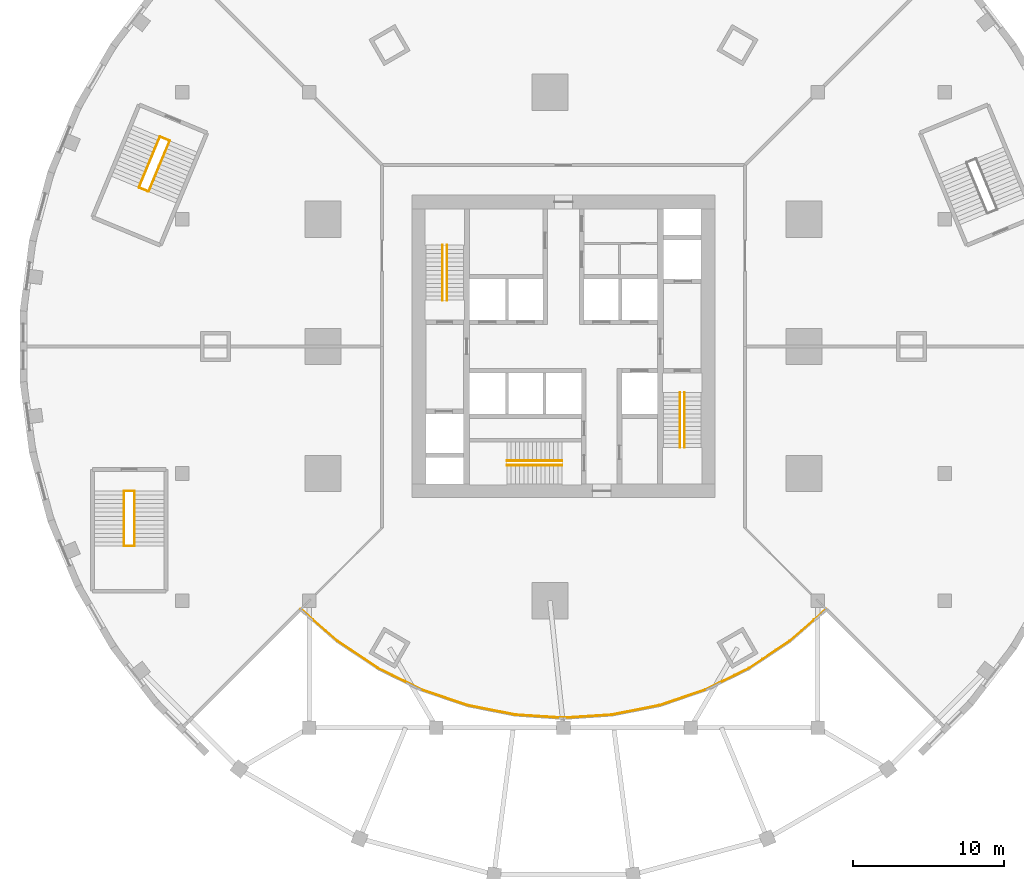
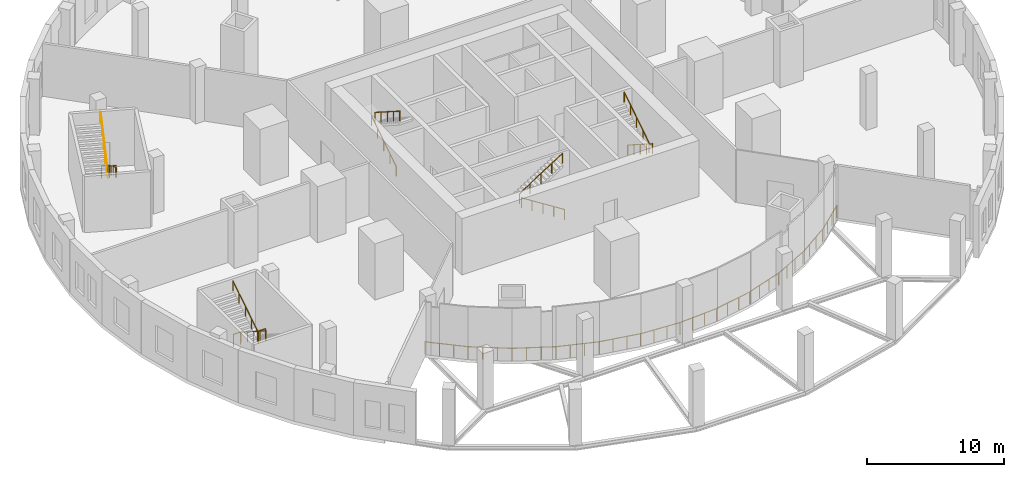
# One storey, part 9 of 11: 26 railings.
"""IFC4 building model written with IfcOpenShell, lengths in metres."""

from ifc_helpers import new_model, si_unit, direction, frame, origin, origin_2d, place, context, subcontext, project, spatial, circle, extrude, material, type_object, element, save


model = new_model("IFC4")

# Units and contexts
model_context = context("Model", 3, precision=1e-05, world=origin(), true_north=direction((0.0, 1.0)))
body_context = subcontext(model_context, "Body", "Model", "MODEL_VIEW")
ifc_project = project(units=[si_unit("LENGTHUNIT", "METRE"), si_unit("AREAUNIT", "SQUARE_METRE"), si_unit("VOLUMEUNIT", "CUBIC_METRE"), si_unit("PLANEANGLEUNIT", "RADIAN"), si_unit("MASSUNIT", "GRAM", prefix="KILO")], contexts=[model_context])

# Site, building, storey
site_placement = place(None, origin())
site = spatial("IfcSite", under=ifc_project, at=site_placement, CompositionType="ELEMENT")
building_placement = place(site_placement, origin())
building = spatial("IfcBuilding", under=site, at=building_placement, Name="Golbaran Civic Tower", CompositionType="ELEMENT")
storey_placement = place(building_placement, frame((0.0, 0.0, 11.0)))
storey = spatial("IfcBuildingStorey", under=building, at=storey_placement, Name="L02", CompositionType="ELEMENT", Elevation=11.0)

# Railings
ifc_material_1 = material(Name="Laminated glass, bronze rail", Category="glass")
railing_type_1 = type_object("IfcRailingType", Name="ATRIUM BALUSTRADE 1100", PredefinedType="GUARDRAIL", material=ifc_material_1)
railing_1_placement = place(storey_placement, frame((-17.359375, -17.359375, 0.0)))
element("IfcRailing", 1, at=railing_1_placement, inside=storey, type_object=railing_type_1, Name="Atrium balustrade L02 1", PredefinedType="GUARDRAIL", context=body_context, shape_type="SweptSolid", body=[
    extrude(circle(Radius=0.02392578125, at=origin_2d()), frame((0.0, 0.0, 1.076171875), z_axis=(0.751817957378, -0.659370729532, 0.0), x_axis=(0.659370729532, 0.751817957378, 0.0)), (0.0, 0.0, 1.0), 3.211181640625),
    extrude(circle(Radius=0.02099609375, at=origin_2d()), origin(), (0.0, 0.0, 1.0), 1.052001953125),
    extrude(circle(Radius=0.02099609375, at=origin_2d()), frame((0.8046875, -0.705810546875, 0.0)), (0.0, 0.0, 1.0), 1.052001953125),
    extrude(circle(Radius=0.02099609375, at=origin_2d()), frame((1.609619140625, -1.41162109375, 0.0)), (0.0, 0.0, 1.0), 1.052001953125),
    extrude(circle(Radius=0.02099609375, at=origin_2d()), frame((2.414306640625, -2.117431640625, 0.0)), (0.0, 0.0, 1.0), 1.052001953125),
])
railing_2_placement = place(storey_placement, frame((-14.945068359375, -19.476806640625, 0.0)))
element("IfcRailing", 2, at=railing_2_placement, inside=storey, type_object=railing_type_1, Name="Atrium balustrade L02 2", PredefinedType="GUARDRAIL", context=body_context, shape_type="SweptSolid", body=[
    extrude(circle(Radius=0.02392578125, at=origin_2d()), frame((0.0, 0.0, 1.076171875), z_axis=(0.831465038594, -0.555577077997, 0.0), x_axis=(0.555577077997, 0.831465038594, 0.0)), (0.0, 0.0, 1.0), 3.21142578125),
    extrude(circle(Radius=0.02099609375, at=origin_2d()), origin(), (0.0, 0.0, 1.0), 1.052001953125),
    extrude(circle(Radius=0.02099609375, at=origin_2d()), frame((0.89013671875, -0.5947265625, 0.0)), (0.0, 0.0, 1.0), 1.052001953125),
    extrude(circle(Radius=0.02099609375, at=origin_2d()), frame((1.780029296875, -1.189453125, 0.0)), (0.0, 0.0, 1.0), 1.052001953125),
    extrude(circle(Radius=0.02099609375, at=origin_2d()), frame((2.670166015625, -1.7841796875, 0.0)), (0.0, 0.0, 1.0), 1.052001953125),
])
railing_3_placement = place(storey_placement, frame((-12.27490234375, -21.260986328125, 0.0)))
element("IfcRailing", 3, at=railing_3_placement, inside=storey, type_object=railing_type_1, Name="Atrium balustrade L02 3", PredefinedType="GUARDRAIL", context=body_context, shape_type="SweptSolid", body=[
    extrude(circle(Radius=0.02392578125, at=origin_2d()), frame((0.0, 0.0, 1.076171875), z_axis=(0.896891939114, -0.442249759246, 0.0), x_axis=(0.442249759246, 0.896891939114, 0.0)), (0.0, 0.0, 1.0), 3.211181640625),
    extrude(circle(Radius=0.02099609375, at=origin_2d()), origin(), (0.0, 0.0, 1.0), 1.052001953125),
    extrude(circle(Radius=0.02099609375, at=origin_2d()), frame((0.9599609375, -0.473388671875, 0.0)), (0.0, 0.0, 1.0), 1.052001953125),
    extrude(circle(Radius=0.02099609375, at=origin_2d()), frame((1.920166015625, -0.94677734375, 0.0)), (0.0, 0.0, 1.0), 1.052001953125),
    extrude(circle(Radius=0.02099609375, at=origin_2d()), frame((2.880126953125, -1.420166015625, 0.0)), (0.0, 0.0, 1.0), 1.052001953125),
])
railing_4_placement = place(storey_placement, frame((-9.394775390625, -22.68115234375, 0.0)))
element("IfcRailing", 4, at=railing_4_placement, inside=storey, type_object=railing_type_1, Name="Atrium balustrade L02 4", PredefinedType="GUARDRAIL", context=body_context, shape_type="SweptSolid", body=[
    extrude(circle(Radius=0.02392578125, at=origin_2d()), frame((0.0, 0.0, 1.076171875), z_axis=(0.946927879989, -0.321446092059, 0.0), x_axis=(0.321446092059, 0.946927879989, 0.0)), (0.0, 0.0, 1.0), 3.211181640625),
    extrude(circle(Radius=0.02099609375, at=origin_2d()), origin(), (0.0, 0.0, 1.0), 1.052001953125),
    extrude(circle(Radius=0.02099609375, at=origin_2d()), frame((1.013671875, -0.343994140625, 0.0)), (0.0, 0.0, 1.0), 1.052001953125),
    extrude(circle(Radius=0.02099609375, at=origin_2d()), frame((2.027099609375, -0.688232421875, 0.0)), (0.0, 0.0, 1.0), 1.052001953125),
    extrude(circle(Radius=0.02099609375, at=origin_2d()), frame((3.040771484375, -1.0322265625, 0.0)), (0.0, 0.0, 1.0), 1.052001953125),
])
railing_5_placement = place(storey_placement, frame((-6.35400390625, -23.71337890625, 0.0)))
element("IfcRailing", 5, at=railing_5_placement, inside=storey, type_object=railing_type_1, Name="Atrium balustrade L02 5", PredefinedType="GUARDRAIL", context=body_context, shape_type="SweptSolid", body=[
    extrude(circle(Radius=0.02392578125, at=origin_2d()), frame((0.0, 0.0, 1.076171875), z_axis=(0.9807731825, -0.19515113243, 0.0), x_axis=(0.19515113243, 0.9807731825, 0.0)), (0.0, 0.0, 1.0), 3.21142578125),
    extrude(circle(Radius=0.02099609375, at=origin_2d()), origin(), (0.0, 0.0, 1.0), 1.052001953125),
    extrude(circle(Radius=0.02099609375, at=origin_2d()), frame((1.0498046875, -0.208984375, 0.0)), (0.0, 0.0, 1.0), 1.052001953125),
    extrude(circle(Radius=0.02099609375, at=origin_2d()), frame((2.099853515625, -0.417724609375, 0.0)), (0.0, 0.0, 1.0), 1.052001953125),
    extrude(circle(Radius=0.02099609375, at=origin_2d()), frame((3.149658203125, -0.626708984375, 0.0)), (0.0, 0.0, 1.0), 1.052001953125),
])
railing_6_placement = place(storey_placement, frame((-3.204345703125, -24.340087890625, 0.0)))
element("IfcRailing", 6, at=railing_6_placement, inside=storey, type_object=railing_type_1, Name="Atrium balustrade L02 6", PredefinedType="GUARDRAIL", context=body_context, shape_type="SweptSolid", body=[
    extrude(circle(Radius=0.02392578125, at=origin_2d()), frame((0.0, 0.0, 1.076171875), z_axis=(0.997860202938, -0.065383601869, 0.0), x_axis=(0.065383601869, 0.997860202938, 0.0)), (0.0, 0.0, 1.0), 3.211181640625),
    extrude(circle(Radius=0.02099609375, at=origin_2d()), origin(), (0.0, 0.0, 1.0), 1.052001953125),
    extrude(circle(Radius=0.02099609375, at=origin_2d()), frame((1.068115234375, -0.070068359375, 0.0)), (0.0, 0.0, 1.0), 1.052001953125),
    extrude(circle(Radius=0.02099609375, at=origin_2d()), frame((2.13623046875, -0.139892578125, 0.0)), (0.0, 0.0, 1.0), 1.052001953125),
    extrude(circle(Radius=0.02099609375, at=origin_2d()), frame((3.204345703125, -0.2099609375, 0.0)), (0.0, 0.0, 1.0), 1.052001953125),
])
railing_7_placement = place(storey_placement, frame((0.0, -24.550048828125, 0.0)))
element("IfcRailing", 7, at=railing_7_placement, inside=storey, type_object=railing_type_1, Name="Atrium balustrade L02 7", PredefinedType="GUARDRAIL", context=body_context, shape_type="SweptSolid", body=[
    extrude(circle(Radius=0.02392578125, at=origin_2d()), frame((0.0, 0.0, 1.076171875), z_axis=(0.997860202938, 0.065383601869, 0.0), x_axis=(-0.065383601869, 0.997860202938, 0.0)), (0.0, 0.0, 1.0), 3.211181640625),
    extrude(circle(Radius=0.02099609375, at=origin_2d()), origin(), (0.0, 0.0, 1.0), 1.052001953125),
    extrude(circle(Radius=0.02099609375, at=origin_2d()), frame((1.068115234375, 0.070068359375, 0.0)), (0.0, 0.0, 1.0), 1.052001953125),
    extrude(circle(Radius=0.02099609375, at=origin_2d()), frame((2.13623046875, 0.139892578125, 0.0)), (0.0, 0.0, 1.0), 1.052001953125),
    extrude(circle(Radius=0.02099609375, at=origin_2d()), frame((3.204345703125, 0.2099609375, 0.0)), (0.0, 0.0, 1.0), 1.052001953125),
])
railing_8_placement = place(storey_placement, frame((3.204345703125, -24.340087890625, 0.0)))
element("IfcRailing", 8, at=railing_8_placement, inside=storey, type_object=railing_type_1, Name="Atrium balustrade L02 8", PredefinedType="GUARDRAIL", context=body_context, shape_type="SweptSolid", body=[
    extrude(circle(Radius=0.02392578125, at=origin_2d()), frame((0.0, 0.0, 1.076171875), z_axis=(0.9807731825, 0.19515113243, 0.0), x_axis=(-0.19515113243, 0.9807731825, 0.0)), (0.0, 0.0, 1.0), 3.21142578125),
    extrude(circle(Radius=0.02099609375, at=origin_2d()), origin(), (0.0, 0.0, 1.0), 1.052001953125),
    extrude(circle(Radius=0.02099609375, at=origin_2d()), frame((1.0498046875, 0.208984375, 0.0)), (0.0, 0.0, 1.0), 1.052001953125),
    extrude(circle(Radius=0.02099609375, at=origin_2d()), frame((2.099853515625, 0.417724609375, 0.0)), (0.0, 0.0, 1.0), 1.052001953125),
    extrude(circle(Radius=0.02099609375, at=origin_2d()), frame((3.149658203125, 0.626708984375, 0.0)), (0.0, 0.0, 1.0), 1.052001953125),
])
railing_9_placement = place(storey_placement, frame((6.35400390625, -23.71337890625, 0.0)))
element("IfcRailing", 9, at=railing_9_placement, inside=storey, type_object=railing_type_1, Name="Atrium balustrade L02 9", PredefinedType="GUARDRAIL", context=body_context, shape_type="SweptSolid", body=[
    extrude(circle(Radius=0.02392578125, at=origin_2d()), frame((0.0, 0.0, 1.076171875), z_axis=(0.946927879989, 0.321446092059, 0.0), x_axis=(-0.321446092059, 0.946927879989, 0.0)), (0.0, 0.0, 1.0), 3.211181640625),
    extrude(circle(Radius=0.02099609375, at=origin_2d()), origin(), (0.0, 0.0, 1.0), 1.052001953125),
    extrude(circle(Radius=0.02099609375, at=origin_2d()), frame((1.013671875, 0.343994140625, 0.0)), (0.0, 0.0, 1.0), 1.052001953125),
    extrude(circle(Radius=0.02099609375, at=origin_2d()), frame((2.027099609375, 0.688232421875, 0.0)), (0.0, 0.0, 1.0), 1.052001953125),
    extrude(circle(Radius=0.02099609375, at=origin_2d()), frame((3.040771484375, 1.0322265625, 0.0)), (0.0, 0.0, 1.0), 1.052001953125),
])
railing_10_placement = place(storey_placement, frame((9.394775390625, -22.68115234375, 0.0)))
element("IfcRailing", 10, at=railing_10_placement, inside=storey, type_object=railing_type_1, Name="Atrium balustrade L02 10", PredefinedType="GUARDRAIL", context=body_context, shape_type="SweptSolid", body=[
    extrude(circle(Radius=0.02392578125, at=origin_2d()), frame((0.0, 0.0, 1.076171875), z_axis=(0.896891939114, 0.442249759246, 0.0), x_axis=(-0.442249759246, 0.896891939114, 0.0)), (0.0, 0.0, 1.0), 3.211181640625),
    extrude(circle(Radius=0.02099609375, at=origin_2d()), origin(), (0.0, 0.0, 1.0), 1.052001953125),
    extrude(circle(Radius=0.02099609375, at=origin_2d()), frame((0.9599609375, 0.473388671875, 0.0)), (0.0, 0.0, 1.0), 1.052001953125),
    extrude(circle(Radius=0.02099609375, at=origin_2d()), frame((1.920166015625, 0.94677734375, 0.0)), (0.0, 0.0, 1.0), 1.052001953125),
    extrude(circle(Radius=0.02099609375, at=origin_2d()), frame((2.880126953125, 1.420166015625, 0.0)), (0.0, 0.0, 1.0), 1.052001953125),
])
railing_11_placement = place(storey_placement, frame((12.27490234375, -21.260986328125, 0.0)))
element("IfcRailing", 11, at=railing_11_placement, inside=storey, type_object=railing_type_1, Name="Atrium balustrade L02 11", PredefinedType="GUARDRAIL", context=body_context, shape_type="SweptSolid", body=[
    extrude(circle(Radius=0.02392578125, at=origin_2d()), frame((0.0, 0.0, 1.076171875), z_axis=(0.831465038594, 0.555577077997, 0.0), x_axis=(-0.555577077997, 0.831465038594, 0.0)), (0.0, 0.0, 1.0), 3.21142578125),
    extrude(circle(Radius=0.02099609375, at=origin_2d()), origin(), (0.0, 0.0, 1.0), 1.052001953125),
    extrude(circle(Radius=0.02099609375, at=origin_2d()), frame((0.89013671875, 0.5947265625, 0.0)), (0.0, 0.0, 1.0), 1.052001953125),
    extrude(circle(Radius=0.02099609375, at=origin_2d()), frame((1.780029296875, 1.189453125, 0.0)), (0.0, 0.0, 1.0), 1.052001953125),
    extrude(circle(Radius=0.02099609375, at=origin_2d()), frame((2.670166015625, 1.7841796875, 0.0)), (0.0, 0.0, 1.0), 1.052001953125),
])
railing_12_placement = place(storey_placement, frame((14.945068359375, -19.476806640625, 0.0)))
element("IfcRailing", 12, at=railing_12_placement, inside=storey, type_object=railing_type_1, Name="Atrium balustrade L02 12", PredefinedType="GUARDRAIL", context=body_context, shape_type="SweptSolid", body=[
    extrude(circle(Radius=0.02392578125, at=origin_2d()), frame((0.0, 0.0, 1.076171875), z_axis=(0.751817957378, 0.659370729532, 0.0), x_axis=(-0.659370729532, 0.751817957378, 0.0)), (0.0, 0.0, 1.0), 3.211181640625),
    extrude(circle(Radius=0.02099609375, at=origin_2d()), origin(), (0.0, 0.0, 1.0), 1.052001953125),
    extrude(circle(Radius=0.02099609375, at=origin_2d()), frame((0.8046875, 0.705810546875, 0.0)), (0.0, 0.0, 1.0), 1.052001953125),
    extrude(circle(Radius=0.02099609375, at=origin_2d()), frame((1.609619140625, 1.41162109375, 0.0)), (0.0, 0.0, 1.0), 1.052001953125),
    extrude(circle(Radius=0.02099609375, at=origin_2d()), frame((2.414306640625, 2.117431640625, 0.0)), (0.0, 0.0, 1.0), 1.052001953125),
])
ifc_material_2 = material(Name="Steel balustrade", Category="steel")
railing_type_2 = type_object("IfcRailingType", Name="STAIR GUARD 1100", PredefinedType="GUARDRAIL", material=ifc_material_2)
railing_13_placement = place(storey_placement, frame((-26.07470703125, 13.61474609375, 0.0)))
element("IfcRailing", 13, at=railing_13_placement, inside=storey, type_object=railing_type_2, Name="Stair P2 well guard floor landing L02", PredefinedType="GUARDRAIL", context=body_context, shape_type="SweptSolid", body=[
    extrude(circle(Radius=0.02392578125, at=origin_2d()), frame((0.0, 0.0, 1.076171875), z_axis=(-0.923917630863, 0.382591441855, 0.0), x_axis=(-0.382591441855, -0.923917630863, 0.0)), (0.0, 0.0, 1.0), 0.599853515625),
    extrude(circle(Radius=0.02099609375, at=origin_2d()), origin(), (0.0, 0.0, 1.0), 1.052001953125),
    extrude(circle(Radius=0.02099609375, at=origin_2d()), frame((-0.55419921875, 0.2294921875, 0.0)), (0.0, 0.0, 1.0), 1.052001953125),
])
railing_14_placement = place(storey_placement, frame((-27.4677734375, 10.251708984375, 2.5)))
element("IfcRailing", 14, at=railing_14_placement, inside=storey, type_object=railing_type_2, Name="Stair P2 well guard half landing L02", PredefinedType="GUARDRAIL", context=body_context, shape_type="SweptSolid", body=[
    extrude(circle(Radius=0.02392578125, at=origin_2d()), frame((0.0, 0.0, 1.076171875), z_axis=(-0.923773716093, 0.382938795966, 0.0), x_axis=(-0.382938795966, -0.923773716093, 0.0)), (0.0, 0.0, 1.0), 0.599853515625),
    extrude(circle(Radius=0.02099609375, at=origin_2d()), origin(), (0.0, 0.0, 1.0), 1.052001953125),
    extrude(circle(Radius=0.02099609375, at=origin_2d()), frame((-0.55419921875, 0.229736328125, 0.0)), (0.0, 0.0, 1.0), 1.052001953125),
])
for number, where, name in (
    (15, (-28.39990234375, -9.550048828125, 0.0), "Stair P3 well guard floor landing L02"),
    (16, (-28.39990234375, -13.18994140625, 2.5), "Stair P3 well guard half landing L02"),
):
    element("IfcRailing", number, at=place(storey_placement, frame(where)), inside=storey, type_object=railing_type_2, Name=name, PredefinedType="GUARDRAIL", context=body_context, shape_type="SweptSolid", body=[
        extrude(circle(Radius=0.02392578125, at=origin_2d()), frame((0.0, 0.0, 1.076171875), z_axis=(-1.0, 0.0, 0.0), x_axis=(0.0, -1.0, 0.0)), (0.0, 0.0, 1.0), 0.60009765625),
        extrude(circle(Radius=0.02099609375, at=origin_2d()), origin(), (0.0, 0.0, 1.0), 1.052001953125),
        extrude(circle(Radius=0.02099609375, at=origin_2d()), frame((-0.60009765625, 0.0, 0.0)), (0.0, 0.0, 1.0), 1.052001953125),
    ])
ifc_material_3 = material(Name="Stainless steel", Category="steel")
railing_type_3 = type_object("IfcRailingType", Name="STAIR HANDRAIL 900", PredefinedType="HANDRAIL", material=ifc_material_3)
railing_15_placement = place(storey_placement, frame((-8.0, 3.050048828125, 0.178466796875)))
element("IfcRailing", 17, at=railing_15_placement, inside=storey, type_object=railing_type_3, Name="Stair S1 handrail flight 1 L02", PredefinedType="HANDRAIL", context=body_context, shape_type="SweptSolid", body=[
    extrude(circle(Radius=0.02392578125, at=origin_2d()), frame((0.0, 0.0, 0.8759765625), z_axis=(0.0, 0.843111507901, 0.53773877045), x_axis=(-1.0, 0.0, 0.0)), (0.0, 0.0, 1.0), 4.317138671875),
    extrude(circle(Radius=0.02099609375, at=origin_2d()), origin(), (0.0, 0.0, 1.0), 0.851806640625),
    extrude(circle(Radius=0.02099609375, at=origin_2d()), frame((0.0, 0.909912109375, 0.580322265625)), (0.0, 0.0, 1.0), 0.851806640625),
    extrude(circle(Radius=0.02099609375, at=origin_2d()), frame((0.0, 1.81982421875, 1.16064453125)), (0.0, 0.0, 1.0), 0.851806640625),
    extrude(circle(Radius=0.02099609375, at=origin_2d()), frame((0.0, 2.72998046875, 1.7412109375)), (0.0, 0.0, 1.0), 0.851806640625),
    extrude(circle(Radius=0.02099609375, at=origin_2d()), frame((0.0, 3.639892578125, 2.321533203125)), (0.0, 0.0, 1.0), 0.851806640625),
])
for number, where, name in (
    (18, (-7.699951171875, 6.68994140625, 2.678466796875), "Stair S1 handrail flight 2 L02"),
    (19, (8.0, -3.050048828125, 0.178466796875), "Stair S2 handrail flight 1 L02"),
):
    element("IfcRailing", number, at=place(storey_placement, frame(where)), inside=storey, type_object=railing_type_3, Name=name, PredefinedType="HANDRAIL", context=body_context, shape_type="SweptSolid", body=[
        extrude(circle(Radius=0.02392578125, at=origin_2d()), frame((0.0, 0.0, 0.8759765625), z_axis=(0.0, -0.843111507901, 0.53773877045), x_axis=(1.0, 0.0, 0.0)), (0.0, 0.0, 1.0), 4.317138671875),
        extrude(circle(Radius=0.02099609375, at=origin_2d()), origin(), (0.0, 0.0, 1.0), 0.851806640625),
        extrude(circle(Radius=0.02099609375, at=origin_2d()), frame((0.0, -0.909912109375, 0.580322265625)), (0.0, 0.0, 1.0), 0.851806640625),
        extrude(circle(Radius=0.02099609375, at=origin_2d()), frame((0.0, -1.81982421875, 1.16064453125)), (0.0, 0.0, 1.0), 0.851806640625),
        extrude(circle(Radius=0.02099609375, at=origin_2d()), frame((0.0, -2.72998046875, 1.7412109375)), (0.0, 0.0, 1.0), 0.851806640625),
        extrude(circle(Radius=0.02099609375, at=origin_2d()), frame((0.0, -3.639892578125, 2.321533203125)), (0.0, 0.0, 1.0), 0.851806640625),
    ])
railing_16_placement = place(storey_placement, frame((7.699951171875, -6.68994140625, 2.678466796875)))
element("IfcRailing", 20, at=railing_16_placement, inside=storey, type_object=railing_type_3, Name="Stair S2 handrail flight 2 L02", PredefinedType="HANDRAIL", context=body_context, shape_type="SweptSolid", body=[
    extrude(circle(Radius=0.02392578125, at=origin_2d()), frame((0.0, 0.0, 0.8759765625), z_axis=(0.0, 0.843111507901, 0.53773877045), x_axis=(-1.0, 0.0, 0.0)), (0.0, 0.0, 1.0), 4.317138671875),
    extrude(circle(Radius=0.02099609375, at=origin_2d()), origin(), (0.0, 0.0, 1.0), 0.851806640625),
    extrude(circle(Radius=0.02099609375, at=origin_2d()), frame((0.0, 0.909912109375, 0.580322265625)), (0.0, 0.0, 1.0), 0.851806640625),
    extrude(circle(Radius=0.02099609375, at=origin_2d()), frame((0.0, 1.81982421875, 1.16064453125)), (0.0, 0.0, 1.0), 0.851806640625),
    extrude(circle(Radius=0.02099609375, at=origin_2d()), frame((0.0, 2.72998046875, 1.7412109375)), (0.0, 0.0, 1.0), 0.851806640625),
    extrude(circle(Radius=0.02099609375, at=origin_2d()), frame((0.0, 3.639892578125, 2.321533203125)), (0.0, 0.0, 1.0), 0.851806640625),
])
railing_17_placement = place(storey_placement, frame((-0.10009765625, -7.85009765625, 0.178466796875)))
element("IfcRailing", 21, at=railing_17_placement, inside=storey, type_object=railing_type_3, Name="Stair S3 handrail flight 1 L02", PredefinedType="HANDRAIL", context=body_context, shape_type="SweptSolid", body=[
    extrude(circle(Radius=0.02392578125, at=origin_2d()), frame((0.0, 0.0, 0.8759765625), z_axis=(-0.843111507901, 0.0, 0.53773877045), x_axis=(0.0, -1.0, 0.0)), (0.0, 0.0, 1.0), 4.317138671875),
    extrude(circle(Radius=0.02099609375, at=origin_2d()), origin(), (0.0, 0.0, 1.0), 0.851806640625),
    extrude(circle(Radius=0.02099609375, at=origin_2d()), frame((-0.909912109375, 0.0, 0.580322265625)), (0.0, 0.0, 1.0), 0.851806640625),
    extrude(circle(Radius=0.02099609375, at=origin_2d()), frame((-1.81982421875, 0.0, 1.16064453125)), (0.0, 0.0, 1.0), 0.851806640625),
    extrude(circle(Radius=0.02099609375, at=origin_2d()), frame((-2.72998046875, 0.0, 1.7412109375)), (0.0, 0.0, 1.0), 0.851806640625),
    extrude(circle(Radius=0.02099609375, at=origin_2d()), frame((-3.639892578125, 0.0, 2.321533203125)), (0.0, 0.0, 1.0), 0.851806640625),
])
railing_18_placement = place(storey_placement, frame((-3.739990234375, -7.550048828125, 2.678466796875)))
element("IfcRailing", 22, at=railing_18_placement, inside=storey, type_object=railing_type_3, Name="Stair S3 handrail flight 2 L02", PredefinedType="HANDRAIL", context=body_context, shape_type="SweptSolid", body=[
    extrude(circle(Radius=0.02392578125, at=origin_2d()), frame((0.0, 0.0, 0.8759765625), z_axis=(0.843111507901, 0.0, 0.53773877045), x_axis=(0.0, 1.0, 0.0)), (0.0, 0.0, 1.0), 4.317138671875),
    extrude(circle(Radius=0.02099609375, at=origin_2d()), origin(), (0.0, 0.0, 1.0), 0.851806640625),
    extrude(circle(Radius=0.02099609375, at=origin_2d()), frame((0.909912109375, 0.0, 0.580322265625)), (0.0, 0.0, 1.0), 0.851806640625),
    extrude(circle(Radius=0.02099609375, at=origin_2d()), frame((1.81982421875, 0.0, 1.16064453125)), (0.0, 0.0, 1.0), 0.851806640625),
    extrude(circle(Radius=0.02099609375, at=origin_2d()), frame((2.72998046875, 0.0, 1.7412109375)), (0.0, 0.0, 1.0), 0.851806640625),
    extrude(circle(Radius=0.02099609375, at=origin_2d()), frame((3.639892578125, 0.0, 2.321533203125)), (0.0, 0.0, 1.0), 0.851806640625),
])
railing_19_placement = place(storey_placement, frame((-26.028564453125, 13.595458984375, 0.178466796875)))
element("IfcRailing", 23, at=railing_19_placement, inside=storey, type_object=railing_type_3, Name="Stair P2 handrail flight 1 L02", PredefinedType="HANDRAIL", context=body_context, shape_type="SweptSolid", body=[
    extrude(circle(Radius=0.02392578125, at=origin_2d()), frame((0.0, 0.0, 0.8759765625), z_axis=(-0.322624861917, -0.778936870822, 0.537745804026), x_axis=(0.923888487057, -0.382661813464, 0.0)), (0.0, 0.0, 1.0), 4.317138671875),
    extrude(circle(Radius=0.02099609375, at=origin_2d()), origin(), (0.0, 0.0, 1.0), 0.851806640625),
    extrude(circle(Radius=0.02099609375, at=origin_2d()), frame((-0.34814453125, -0.8408203125, 0.580322265625)), (0.0, 0.0, 1.0), 0.851806640625),
    extrude(circle(Radius=0.02099609375, at=origin_2d()), frame((-0.6962890625, -1.681396484375, 1.16064453125)), (0.0, 0.0, 1.0), 0.851806640625),
    extrude(circle(Radius=0.02099609375, at=origin_2d()), frame((-1.044677734375, -2.52197265625, 1.7412109375)), (0.0, 0.0, 1.0), 0.851806640625),
    extrude(circle(Radius=0.02099609375, at=origin_2d()), frame((-1.392822265625, -3.36279296875, 2.321533203125)), (0.0, 0.0, 1.0), 0.851806640625),
])
railing_20_placement = place(storey_placement, frame((-28.068115234375, 10.50048828125, 2.678466796875)))
element("IfcRailing", 24, at=railing_20_placement, inside=storey, type_object=railing_type_3, Name="Stair P2 handrail flight 2 L02", PredefinedType="HANDRAIL", context=body_context, shape_type="SweptSolid", body=[
    extrude(circle(Radius=0.02392578125, at=origin_2d()), frame((0.0, 0.0, 0.8759765625), z_axis=(0.322610650763, 0.778959108546, 0.537722117108), x_axis=(-0.923898307913, 0.38263810139, 0.0)), (0.0, 0.0, 1.0), 4.3173828125),
    extrude(circle(Radius=0.02099609375, at=origin_2d()), origin(), (0.0, 0.0, 1.0), 0.851806640625),
    extrude(circle(Radius=0.02099609375, at=origin_2d()), frame((0.34814453125, 0.8408203125, 0.580322265625)), (0.0, 0.0, 1.0), 0.851806640625),
    extrude(circle(Radius=0.02099609375, at=origin_2d()), frame((0.6962890625, 1.681640625, 1.16064453125)), (0.0, 0.0, 1.0), 0.851806640625),
    extrude(circle(Radius=0.02099609375, at=origin_2d()), frame((1.044677734375, 2.522216796875, 1.7412109375)), (0.0, 0.0, 1.0), 0.851806640625),
    extrude(circle(Radius=0.02099609375, at=origin_2d()), frame((1.392822265625, 3.363037109375, 2.321533203125)), (0.0, 0.0, 1.0), 0.851806640625),
])
railing_21_placement = place(storey_placement, frame((-28.35009765625, -9.550048828125, 0.178466796875)))
element("IfcRailing", 25, at=railing_21_placement, inside=storey, type_object=railing_type_3, Name="Stair P3 handrail flight 1 L02", PredefinedType="HANDRAIL", context=body_context, shape_type="SweptSolid", body=[
    extrude(circle(Radius=0.02392578125, at=origin_2d()), frame((0.0, 0.0, 0.8759765625), z_axis=(0.0, -0.843111507901, 0.53773877045), x_axis=(1.0, 0.0, 0.0)), (0.0, 0.0, 1.0), 4.317138671875),
    extrude(circle(Radius=0.02099609375, at=origin_2d()), origin(), (0.0, 0.0, 1.0), 0.851806640625),
    extrude(circle(Radius=0.02099609375, at=origin_2d()), frame((0.0, -0.909912109375, 0.580322265625)), (0.0, 0.0, 1.0), 0.851806640625),
    extrude(circle(Radius=0.02099609375, at=origin_2d()), frame((0.0, -1.81982421875, 1.16064453125)), (0.0, 0.0, 1.0), 0.851806640625),
    extrude(circle(Radius=0.02099609375, at=origin_2d()), frame((0.0, -2.72998046875, 1.7412109375)), (0.0, 0.0, 1.0), 0.851806640625),
    extrude(circle(Radius=0.02099609375, at=origin_2d()), frame((0.0, -3.639892578125, 2.321533203125)), (0.0, 0.0, 1.0), 0.851806640625),
])
railing_22_placement = place(storey_placement, frame((-29.050048828125, -13.18994140625, 2.678466796875)))
element("IfcRailing", 26, at=railing_22_placement, inside=storey, type_object=railing_type_3, Name="Stair P3 handrail flight 2 L02", PredefinedType="HANDRAIL", context=body_context, shape_type="SweptSolid", body=[
    extrude(circle(Radius=0.02392578125, at=origin_2d()), frame((0.0, 0.0, 0.8759765625), z_axis=(0.0, 0.843111507901, 0.53773877045), x_axis=(-1.0, 0.0, 0.0)), (0.0, 0.0, 1.0), 4.317138671875),
    extrude(circle(Radius=0.02099609375, at=origin_2d()), origin(), (0.0, 0.0, 1.0), 0.851806640625),
    extrude(circle(Radius=0.02099609375, at=origin_2d()), frame((0.0, 0.909912109375, 0.580322265625)), (0.0, 0.0, 1.0), 0.851806640625),
    extrude(circle(Radius=0.02099609375, at=origin_2d()), frame((0.0, 1.81982421875, 1.16064453125)), (0.0, 0.0, 1.0), 0.851806640625),
    extrude(circle(Radius=0.02099609375, at=origin_2d()), frame((0.0, 2.72998046875, 1.7412109375)), (0.0, 0.0, 1.0), 0.851806640625),
    extrude(circle(Radius=0.02099609375, at=origin_2d()), frame((0.0, 3.639892578125, 2.321533203125)), (0.0, 0.0, 1.0), 0.851806640625),
])

save(model, "model.ifc")
